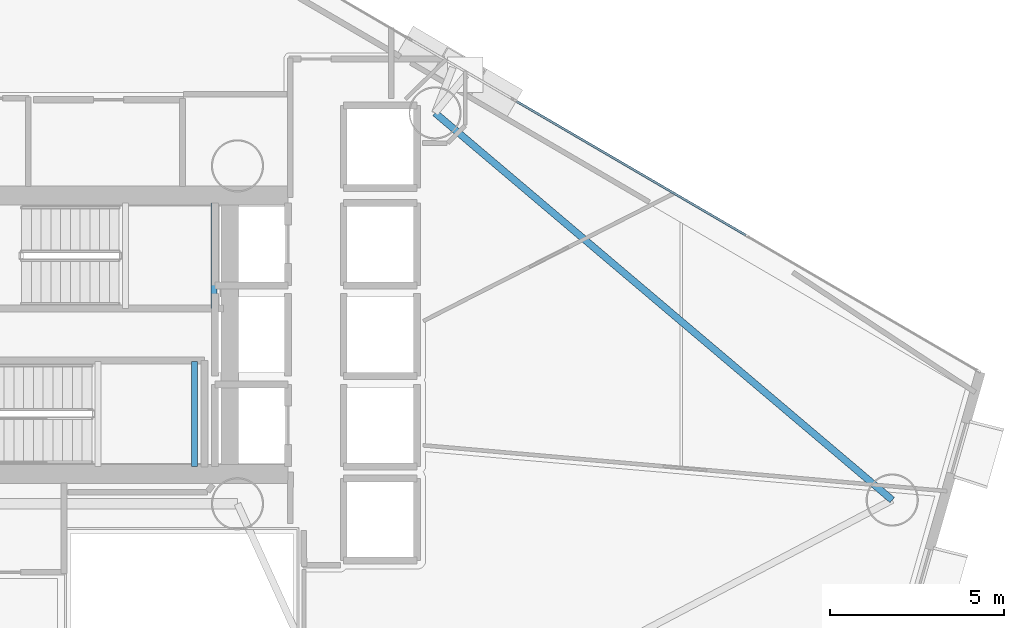
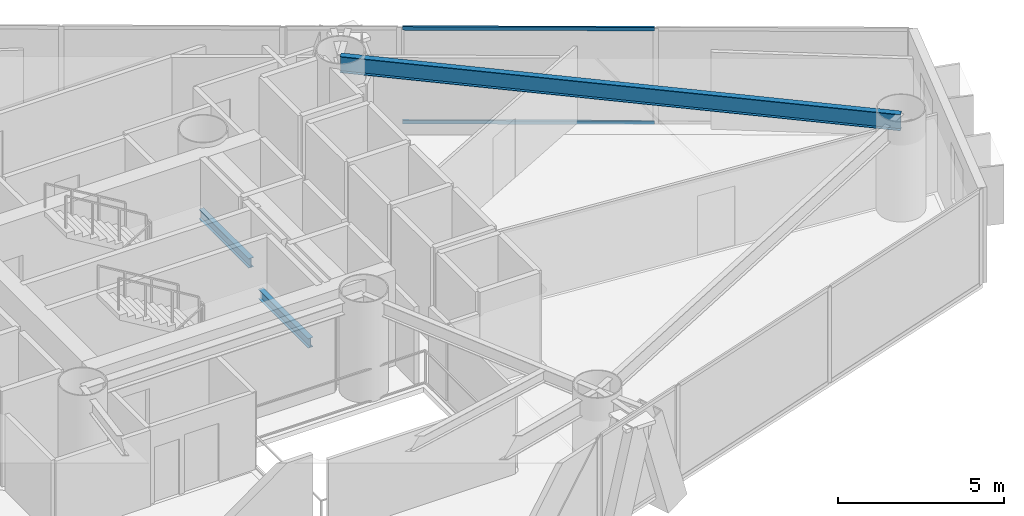
# One storey, part 9 of 19: 3 beams, 2 members, 1 element without a shape of its own.
"""IFC4 building model written with IfcOpenShell, lengths in metres."""

import ifcopenshell
import ifcopenshell.guid

model = None  # the IFC model being written
_history = None  # IfcOwnerHistory: only IFC2X3 demands one
_inside = {}  # id of a spatial element -> (the spatial element, [elements in it])
_under = {}  # id of a project, library or spatial element -> (it, [spatial elements below it])
_declared = {}  # id of a project -> (the project, [libraries it declares])
_typed = {}  # id of a type object -> (the type object, [elements of that type])
_made_of = {}  # id of a material, layer set ... -> (it, [elements and type objects made of it])


def new_model(schema):
    """Start an empty IFC model of exactly this schema.

    Asked for "IFC4X3", IfcOpenShell would pick the latest addendum, in which some entities
    have other attributes; the version numbers below select the first issue.
    IFC2X3 requires an IfcOwnerHistory on every rooted entity: one is made here for all.
    """
    global model, _history
    if schema == "IFC4X3":
        model = ifcopenshell.file(schema_version=(4, 3, 0, 0))
    else:
        model = ifcopenshell.file(schema=schema)
    _inside.clear()
    _under.clear()
    _declared.clear()
    _typed.clear()
    _made_of.clear()
    _history = None
    if model.schema == "IFC2X3":
        org = make("IfcOrganization", Name="unknown")
        user = make(
            "IfcPersonAndOrganization",
            ThePerson=make("IfcPerson", FamilyName="unknown"),
            TheOrganization=org,
        )
        app = make(
            "IfcApplication",
            ApplicationDeveloper=org,
            Version="unknown",
            ApplicationFullName="unknown",
            ApplicationIdentifier="unknown",
        )
        _history = make(
            "IfcOwnerHistory",
            OwningUser=user,
            OwningApplication=app,
            ChangeAction="ADDED",
            CreationDate=0,
        )
    return model


def make(cls, **values):
    """One entity of the class cls with the attributes given. An attribute that is None is left unset."""
    return model.create_entity(
        cls, **{name: value for name, value in values.items() if value is not None}
    )


def rooted(cls, **values):
    """An entity with a GlobalId (a new one), such as an element, a storey or a relation."""
    return make(cls, GlobalId=ifcopenshell.guid.new(), OwnerHistory=_history, **values)


def si_unit(unit_type, name, prefix=None):
    """IfcSIUnit, for example si_unit("LENGTHUNIT", "METRE", prefix="MILLI")."""
    return make("IfcSIUnit", UnitType=unit_type, Prefix=prefix, Name=name)


def assignment(units):
    """IfcUnitAssignment: the units of a project."""
    return None if units is None else make("IfcUnitAssignment", Units=units)


def point(xyz):
    """IfcCartesianPoint."""
    return None if xyz is None else make("IfcCartesianPoint", Coordinates=xyz)


def direction(xyz):
    """IfcDirection."""
    return None if xyz is None else make("IfcDirection", DirectionRatios=xyz)


def frame(location, z_axis=None, x_axis=None):
    """IfcAxis2Placement3D, a coordinate frame: its origin and axes. An axis left out is left unset."""
    return make(
        "IfcAxis2Placement3D",
        Location=point(location),
        Axis=direction(z_axis),
        RefDirection=direction(x_axis),
    )


def frame_2d(location, x_axis=None):
    """IfcAxis2Placement2D, a coordinate frame in the plane: its origin and x axis."""
    return make(
        "IfcAxis2Placement2D", Location=point(location), RefDirection=direction(x_axis)
    )


def origin():
    """The frame at (0, 0, 0) with its axes left unset."""
    return frame((0.0, 0.0, 0.0))


def origin_2d():
    """The frame at (0, 0) in the plane with its x axis left unset."""
    return frame_2d((0.0, 0.0))


def place(relative_to, where):
    """IfcLocalPlacement: puts the frame where relative to a parent placement (None: the world)."""
    return make(
        "IfcLocalPlacement", PlacementRelTo=relative_to, RelativePlacement=where
    )


def context(
    kind, dimensions, precision=None, world=None, true_north=None, identifier=None
):
    """IfcGeometricRepresentationContext, for example the 3D "Model" context."""
    return make(
        "IfcGeometricRepresentationContext",
        ContextIdentifier=identifier,
        ContextType=kind,
        CoordinateSpaceDimension=dimensions,
        Precision=precision,
        WorldCoordinateSystem=world,
        TrueNorth=true_north,
    )


def subcontext(parent, identifier, kind, view, scale=None):
    """IfcGeometricRepresentationSubContext, for example "Body" below "Model"."""
    return make(
        "IfcGeometricRepresentationSubContext",
        ContextIdentifier=identifier,
        ContextType=kind,
        ParentContext=parent,
        TargetScale=scale,
        TargetView=view,
    )


def project(units=None, contexts=None):
    """IfcProject with its units and contexts."""
    return rooted(
        "IfcProject",
        Name="project",
        RepresentationContexts=contexts,
        UnitsInContext=assignment(units),
    )


def spatial(cls, under=None, at=None, **own):
    """A site, building, storey or space (cls), placed at a placement, below another one or the project."""
    s = rooted(cls, ObjectPlacement=at, **own)
    if under is not None:
        _under.setdefault(under.id(), (under, []))[1].append(s)
    return s


def profile(cls, at=None, kind="AREA", **sizes):
    """A parametric profile (cls). Its sizes go by their IFC names, for example OverallWidth=200.0."""
    return make(cls, ProfileType=kind, Position=at, **sizes)


def hollow_rectangle(**sizes):
    """IfcRectangleHollowProfileDef."""
    return profile("IfcRectangleHollowProfileDef", **sizes)


def i_section(**sizes):
    """IfcIShapeProfileDef."""
    return profile("IfcIShapeProfileDef", **sizes)


def extrude(swept, where, along, depth):
    """IfcExtrudedAreaSolid: the profile swept, set in the frame where, extruded along a direction by depth."""
    return make(
        "IfcExtrudedAreaSolid",
        SweptArea=swept,
        Position=where,
        ExtrudedDirection=direction(along),
        Depth=depth,
    )


def shape(context_of_items, identifier, shape_type, items):
    """IfcShapeRepresentation: the items that make up one representation, for example the "Body"."""
    return make(
        "IfcShapeRepresentation",
        ContextOfItems=context_of_items,
        RepresentationIdentifier=identifier,
        RepresentationType=shape_type,
        Items=items,
    )


def material(Name=None, Category=None):
    """IfcMaterial."""
    return make("IfcMaterial", Name=Name, Category=Category)


def layer(
    of_material, thickness, ventilated=None, Name=None, Category=None, Priority=None
):
    """IfcMaterialLayer: one layer of a wall or slab, of a material (None: an air gap)."""
    return make(
        "IfcMaterialLayer",
        Material=of_material,
        LayerThickness=thickness,
        IsVentilated=ventilated,
        Name=Name,
        Category=Category,
        Priority=Priority,
    )


def layer_set(layers, Name=None):
    """IfcMaterialLayerSet."""
    return make("IfcMaterialLayerSet", MaterialLayers=layers, LayerSetName=Name)


def material_profile(
    of_material, cross_section, Name=None, Category=None, Priority=None
):
    """IfcMaterialProfile: a cross section and its material."""
    return make(
        "IfcMaterialProfile",
        Name=Name,
        Material=of_material,
        Profile=cross_section,
        Priority=Priority,
        Category=Category,
    )


def profile_set(profiles, Name=None, composite=None):
    """IfcMaterialProfileSet."""
    return make(
        "IfcMaterialProfileSet",
        Name=Name,
        MaterialProfiles=profiles,
        CompositeProfile=composite,
    )


def made_of(thing, what):
    """Note that an element or type object is made of a material, layer set ...; save() writes the relation."""
    if what is not None:
        _made_of.setdefault(what.id(), (what, []))[1].append(thing)
    return thing


def type_object(cls, material=None, **own):
    """A type object (cls), such as IfcWallType, which elements share."""
    return made_of(rooted(cls, **own), material)


def element(
    cls,
    number,
    at=None,
    inside=None,
    cuts=None,
    type_object=None,
    material=None,
    context=None,
    identifier="Body",
    shape_type=None,
    held_by="IfcProductDefinitionShape",
    body=None,
    shapes=None,
    **own,
):
    """One element of the class cls, such as IfcWall. Its Tag is "e" and its number.

    at: its placement. inside: the storey or other place that contains it. cuts: it is an
    opening in that element (IfcRelVoidsElement). A single representation is given by context,
    identifier, shape_type and body (its items); several are given by shapes. held_by: the class
    of the entity that holds the representations. save() writes the other relations.
    """
    e = rooted(cls, Tag="e%d" % number, ObjectPlacement=at, **own)
    if body is not None:
        shapes = [shape(context, identifier, shape_type, body)]
    if shapes is not None:
        e.Representation = make(held_by, Representations=shapes)
    if inside is not None:
        _inside.setdefault(inside.id(), (inside, []))[1].append(e)
    if cuts is not None:
        rooted(
            "IfcRelVoidsElement", RelatingBuildingElement=cuts, RelatedOpeningElement=e
        )
    if type_object is not None:
        _typed.setdefault(type_object.id(), (type_object, []))[1].append(e)
    return made_of(e, material)


def aggregate(whole, parts):
    """IfcRelAggregates: a whole, such as a stair, and the parts it consists of."""
    return rooted("IfcRelAggregates", RelatingObject=whole, RelatedObjects=parts)


def save(model, path):
    """Write the relations noted so far, then the file.

    IfcRelAggregates (storeys below a building ...), IfcRelContainedInSpatialStructure (elements
    in a storey), IfcRelDefinesByType, IfcRelAssociatesMaterial and IfcRelDeclares: one each for
    every whole, place, type object, material and project.
    """
    for whole, parts in _under.values():
        aggregate(whole, parts)
    for where, things in _inside.values():
        rooted(
            "IfcRelContainedInSpatialStructure",
            RelatedElements=things,
            RelatingStructure=where,
        )
    for kind, things in _typed.values():
        rooted("IfcRelDefinesByType", RelatedObjects=things, RelatingType=kind)
    for what, things in _made_of.values():
        rooted("IfcRelAssociatesMaterial", RelatedObjects=things, RelatingMaterial=what)
    for by, libraries in _declared.values():
        rooted("IfcRelDeclares", RelatingContext=by, RelatedDefinitions=libraries)
    model.write(path)


model = new_model("IFC4")

# Units and contexts
model_context = context("Model", 3, precision=1e-05, world=origin(), true_north=direction((0.0, 1.0)))
body_context = subcontext(model_context, "Body", "Model", "MODEL_VIEW")
ifc_project = project(units=[si_unit("LENGTHUNIT", "METRE"), si_unit("AREAUNIT", "SQUARE_METRE"), si_unit("VOLUMEUNIT", "CUBIC_METRE"), si_unit("PLANEANGLEUNIT", "RADIAN"), si_unit("MASSUNIT", "GRAM", prefix="KILO")], contexts=[model_context])

# Site, building, storey
site_placement = place(None, origin())
site = spatial("IfcSite", under=ifc_project, at=site_placement, CompositionType="ELEMENT")
building_placement = place(site_placement, origin())
building = spatial("IfcBuilding", under=site, at=building_placement, Name="Qianvela Tower", CompositionType="ELEMENT")
storey_placement = place(building_placement, frame((0.0, 0.0, 120.0)))
storey = spatial("IfcBuildingStorey", under=building, at=storey_placement, Name="L30", CompositionType="ELEMENT", Elevation=120.0)

# Beams
ifc_material_1 = material(Name="Steel Q355B", Category="steel")
ifc_material_profile_1 = material_profile(ifc_material_1, i_section(OverallWidth=0.175048828125, OverallDepth=0.35009765625, WebThickness=0.007080078125, FlangeThickness=0.010986328125, at=origin_2d()), Name="HN350x175x7x11")
ifc_profile_set_1 = profile_set([ifc_material_profile_1], Name="Steel Q355B")
beam_type_1 = type_object("IfcBeamType", Name="BM-HN350-JOIST", PredefinedType="JOIST", material=ifc_profile_set_1)
for number, where, z_axis, x_axis, name in (
    (1, (37.719970703125, 29.4599609375, 1.47509765625), (0.0, 1.0, 0.0), (-1.0, 0.0, 0.0), "L30 Stair ST-1 Landing Support Beam 1.2"),
    (2, (37.169921875, 24.919921875, 1.47509765625), (0.0, 1.0, 0.0), (-1.0, 0.0, 0.0), "L30 Stair ST-2 Landing Support Beam 1.2"),
):
    element("IfcBeam", number, at=place(storey_placement, frame(where, z_axis=z_axis, x_axis=x_axis)), inside=storey, type_object=beam_type_1, Name=name, PredefinedType="JOIST", context=body_context, shape_type="SweptSolid", body=[
        extrude(i_section(OverallWidth=0.175048828125, OverallDepth=0.35009765625, WebThickness=0.007080078125, FlangeThickness=0.010986328125, at=origin_2d()), origin(), (0.0, 0.0, 1.0), 3.02001953125),
    ])
ifc_material_2 = material(Name="Steel Q355B", Category="steel")
ifc_material_profile_2 = material_profile(ifc_material_2, i_section(OverallWidth=0.199951171875, OverallDepth=0.60009765625, WebThickness=0.010986328125, FlangeThickness=0.01708984375, at=origin_2d()), Name="HN600x200x11x17")
ifc_profile_set_2 = profile_set([ifc_material_profile_2], Name="Steel Q355B")
beam_type_2 = type_object("IfcBeamType", Name="BM-HN600-GIRD", PredefinedType="BEAM", material=ifc_profile_set_2)
beam_placement = place(storey_placement, frame((57.194091796875, 23.9580078125, 3.218017578125), z_axis=(-0.763158437154, 0.646211420358, 0.0), x_axis=(-0.646211420358, -0.763158437154, 0.0)))
element("IfcBeam", 3, at=beam_placement, inside=storey, type_object=beam_type_2, Name="L30 Perimeter Ring Spandrel Girder 1", PredefinedType="BEAM", context=body_context, shape_type="SweptSolid", body=[
    extrude(i_section(OverallWidth=0.199951171875, OverallDepth=0.60009765625, WebThickness=0.010986328125, FlangeThickness=0.01708984375, at=origin_2d()), origin(), (0.0, 0.0, 1.0), 17.19580078125),
])

# Curtain wall, members
ifc_material_3 = material(Name="Anodised Architectural Aluminium and Low-E Glass", Category="aluminium")
ifc_layer = layer(ifc_material_3, 0.169921875)
ifc_layer_set = layer_set([ifc_layer], Name="Anodised Architectural Aluminium and Low-E Glass")
curtain_wall_type = type_object("IfcCurtainWallType", Name="CW-COLIV-Z34", PredefinedType="USERDEFINED", material=ifc_layer_set)
curtain_wall_placement = place(storey_placement, origin())
curtain_wall = element("IfcCurtainWall", 4, at=curtain_wall_placement, inside=storey, type_object=curtain_wall_type, Name="L30 CW-COLIV-Z34 Curtain Wall 02A", ObjectType="CURTAIN_WALL_SYSTEM", PredefinedType="USERDEFINED")
ifc_material_4 = material(Name="Anodised Architectural Aluminium 6063-T6", Category="aluminium")
ifc_material_profile_3 = material_profile(ifc_material_4, hollow_rectangle(XDim=0.06494140625, YDim=0.1298828125, WallThickness=0.00439453125, at=origin_2d()), Name="ALU-TRAN-65x130")
ifc_profile_set_3 = profile_set([ifc_material_profile_3], Name="Anodised Architectural Aluminium 6063-T6")
member_type = type_object("IfcMemberType", Name="CW-COLIV-Z34-TRAN", PredefinedType="USERDEFINED", material=ifc_profile_set_3)
member_1_placement = place(storey_placement, frame((52.9912109375, 31.56005859375, 0.032470703125), z_axis=(-0.863632395344, 0.504122094053, 0.0), x_axis=(-0.504122094053, -0.863632395344, 0.0)))
member_1 = element("IfcMember", 5, at=member_1_placement, type_object=member_type, Name="CW-4 transom 2.1", ObjectType="TRANSOM", PredefinedType="USERDEFINED", context=body_context, shape_type="SweptSolid", body=[
    extrude(hollow_rectangle(XDim=0.06494140625, YDim=0.1298828125, WallThickness=0.00439453125, at=origin_2d()), origin(), (0.0, 0.0, 1.0), 7.617431640625),
])
member_2_placement = place(storey_placement, frame((52.9912109375, 31.56005859375, 3.487548828125), z_axis=(-0.863632395344, 0.504122094053, 0.0), x_axis=(-0.504122094053, -0.863632395344, 0.0)))
member_2 = element("IfcMember", 6, at=member_2_placement, type_object=member_type, Name="CW-4 transom 2.2", ObjectType="TRANSOM", PredefinedType="USERDEFINED", context=body_context, shape_type="SweptSolid", body=[
    extrude(hollow_rectangle(XDim=0.06494140625, YDim=0.1298828125, WallThickness=0.00439453125, at=origin_2d()), origin(), (0.0, 0.0, 1.0), 7.617431640625),
])
aggregate(curtain_wall, [member_1, member_2])

save(model, "model.ifc")
